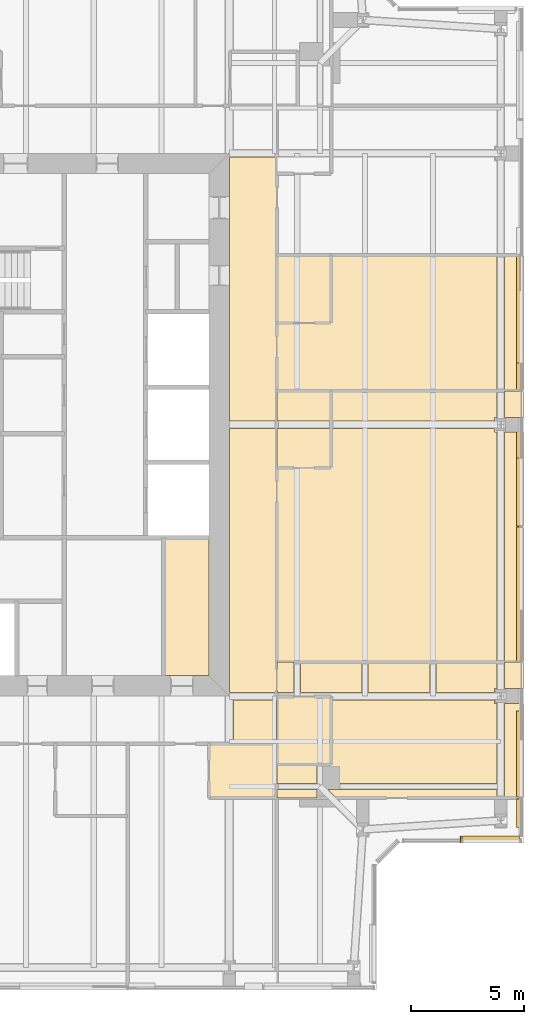
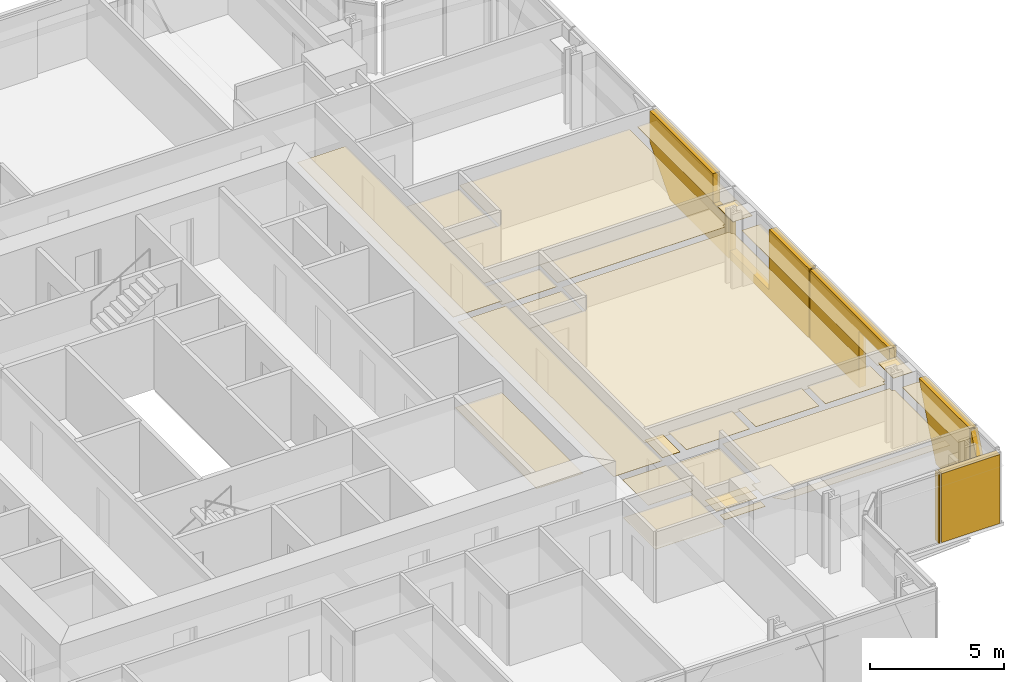
# One storey, part 18 of 20: 32 coverings.
"""IFC4 building model written with IfcOpenShell, lengths in metres."""

from ifc_helpers import new_model, si_unit, direction, frame, origin, place, context, subcontext, project, spatial, polyline, outline, extrude, material, layer, layer_set, type_object, element, save


model = new_model("IFC4")

# Units and contexts
model_context = context("Model", 3, precision=1e-05, world=origin(), true_north=direction((0.0, 1.0)))
body_context = subcontext(model_context, "Body", "Model", "MODEL_VIEW")
ifc_project = project(units=[si_unit("LENGTHUNIT", "METRE"), si_unit("AREAUNIT", "SQUARE_METRE"), si_unit("VOLUMEUNIT", "CUBIC_METRE"), si_unit("PLANEANGLEUNIT", "RADIAN"), si_unit("MASSUNIT", "GRAM", prefix="KILO")], contexts=[model_context])

# Site, building, storey
site_placement = place(None, origin())
site = spatial("IfcSite", under=ifc_project, at=site_placement, CompositionType="ELEMENT")
building_placement = place(site_placement, origin())
building = spatial("IfcBuilding", under=site, at=building_placement, Name="Fenwick Lantern Interchange", CompositionType="ELEMENT")
storey_placement = place(building_placement, frame((0.0, 0.0, 259.39990234375)))
storey = spatial("IfcBuildingStorey", under=building, at=storey_placement, Name="L61", CompositionType="ELEMENT", Elevation=259.39990234375)

# Coverings
ifc_material_1 = material(Name="Granite cladding, warm grey flamed finish, on aluminium carrier frame", Category="masonry")
ifc_layer_1 = layer(ifc_material_1, 0.300048828125)
ifc_layer_set_1 = layer_set([ifc_layer_1], Name="BRACE CASING PANEL 300")
covering_type_1 = type_object("IfcCoveringType", Name="BRACE CASING PANEL 300", PredefinedType="CLADDING", material=ifc_layer_set_1)
covering_1_placement = place(storey_placement, frame((44.45849609375, 6.60009765625, 0.0), z_axis=(0.0, 0.0, 1.0), x_axis=(1.0, 0.0, 0.0)))
element("IfcCovering", 1, at=covering_1_placement, inside=storey, type_object=covering_type_1, Name="Brace casing 04 bay 00a", PredefinedType="CLADDING", context=body_context, shape_type="SweptSolid", body=[
    extrude(outline(polyline([(2.741455078125, 0.0), (2.790771484375, 0.0), (2.790771484375, 3.150146484375), (2.741455078125, 3.150146484375), (2.741455078125, 0.0)])), frame((0.0, 0.2099609375, 0.0), z_axis=(0.0, -1.0, 0.0), x_axis=(1.0, 0.0, 0.0)), (0.0, 0.0, 1.0), 0.300048828125),
])
covering_2_placement = place(storey_placement, frame((44.45849609375, 6.60009765625, 0.0), z_axis=(0.0, 0.0, 1.0), x_axis=(1.0, 0.0, 0.0)))
element("IfcCovering", 2, at=covering_2_placement, inside=storey, type_object=covering_type_1, Name="Brace casing 04 bay 01a", PredefinedType="CLADDING", context=body_context, shape_type="SweptSolid", body=[
    extrude(outline(polyline([(2.850830078125, 0.0), (5.38134765625, 0.0), (5.38134765625, 3.150146484375), (2.850830078125, 3.150146484375), (2.850830078125, 0.0)])), frame((0.0, 0.2099609375, 0.0), z_axis=(0.0, -1.0, 0.0), x_axis=(1.0, 0.0, 0.0)), (0.0, 0.0, 1.0), 0.300048828125),
])
covering_3_placement = place(storey_placement, frame((49.89990234375, 6.60009765625, 0.0), z_axis=(0.0, 0.0, 1.0), x_axis=(0.0, 1.0, 0.0)))
element("IfcCovering", 3, at=covering_3_placement, inside=storey, type_object=covering_type_1, Name="Brace casing 05 bay 00a", PredefinedType="CLADDING", context=body_context, shape_type="SweptSolid", body=[
    extrude(outline(polyline([(0.578369140625, 0.0), (1.8701171875, 0.0), (1.8701171875, 3.150146484375), (1.852294921875, 3.150146484375), (0.578369140625, 0.0)])), frame((0.0, 0.2099609375, 0.0), z_axis=(0.0, -1.0, 0.0), x_axis=(1.0, 0.0, 0.0)), (0.0, 0.0, 1.0), 0.300048828125),
])
covering_4_placement = place(storey_placement, frame((49.89990234375, 6.60009765625, 0.0), z_axis=(0.0, 0.0, 1.0), x_axis=(0.0, 1.0, 0.0)))
element("IfcCovering", 4, at=covering_4_placement, inside=storey, type_object=covering_type_1, Name="Brace casing 05 bay 01a", PredefinedType="CLADDING", context=body_context, shape_type="SweptSolid", body=[
    extrude(outline(polyline([(1.929931640625, 0.0), (4.461669921875, 0.0), (5.735595703125, 3.150146484375), (1.929931640625, 3.150146484375), (1.929931640625, 0.0)])), frame((0.0, 0.2099609375, 0.0), z_axis=(0.0, -1.0, 0.0), x_axis=(1.0, 0.0, 0.0)), (0.0, 0.0, 1.0), 0.300048828125),
])
covering_5_placement = place(storey_placement, frame((49.89990234375, 6.60009765625, 0.0), z_axis=(0.0, 0.0, 1.0), x_axis=(0.0, 1.0, 0.0)))
element("IfcCovering", 5, at=covering_5_placement, inside=storey, type_object=covering_type_1, Name="Brace casing 05 bay 02a", PredefinedType="CLADDING", context=body_context, shape_type="SweptSolid", body=[
    extrude(outline(polyline([(10.195068359375, 0.0), (13.8701171875, 0.0), (13.8701171875, 3.150146484375), (7.929931640625, 3.150146484375), (7.929931640625, 2.572509765625), (10.195068359375, 2.572509765625), (10.195068359375, 0.0)])), frame((0.0, 0.2099609375, 0.0), z_axis=(0.0, -1.0, 0.0), x_axis=(1.0, 0.0, 0.0)), (0.0, 0.0, 1.0), 0.300048828125),
])
covering_6_placement = place(storey_placement, frame((49.89990234375, 6.60009765625, 0.0), z_axis=(0.0, 0.0, 1.0), x_axis=(0.0, 1.0, 0.0)))
element("IfcCovering", 6, at=covering_6_placement, inside=storey, type_object=covering_type_1, Name="Brace casing 05 bay 03a", PredefinedType="CLADDING", context=body_context, shape_type="SweptSolid", body=[
    extrude(outline(polyline([(13.929931640625, 0.0), (19.8701171875, 0.0), (19.8701171875, 0.384765625), (16.92626953125, 0.384765625), (16.92626953125, 3.150146484375), (13.929931640625, 3.150146484375), (13.929931640625, 0.0)])), frame((0.0, 0.2099609375, 0.0), z_axis=(0.0, -1.0, 0.0), x_axis=(1.0, 0.0, 0.0)), (0.0, 0.0, 1.0), 0.300048828125),
])
covering_7_placement = place(storey_placement, frame((49.89990234375, 6.60009765625, 0.0), z_axis=(0.0, 0.0, 1.0), x_axis=(0.0, 1.0, 0.0)))
element("IfcCovering", 7, at=covering_7_placement, inside=storey, type_object=covering_type_1, Name="Brace casing 05 bay 04a", PredefinedType="CLADDING", context=body_context, shape_type="SweptSolid", body=[
    extrude(outline(polyline([(19.929931640625, 0.0), (24.335205078125, 0.0), (25.8701171875, 1.739501953125), (25.8701171875, 3.150146484375), (21.1201171875, 3.150146484375), (21.1201171875, 1.79736328125), (19.929931640625, 1.79736328125), (19.929931640625, 0.0)])), frame((0.0, 0.2099609375, 0.0), z_axis=(0.0, -1.0, 0.0), x_axis=(1.0, 0.0, 0.0)), (0.0, 0.0, 1.0), 0.300048828125),
])
ifc_material_2 = material(Name="Moisture resistant gypsum board on suspended frame, painted")
ifc_layer_2 = layer(ifc_material_2, 0.014892578125)
ifc_layer_set_2 = layer_set([ifc_layer_2], Name="MOISTURE RESISTANT CEILING 15")
covering_type_2 = type_object("IfcCoveringType", Name="MOISTURE RESISTANT CEILING 15", PredefinedType="CEILING", material=ifc_layer_set_2)
covering_8_placement = place(storey_placement, frame((0.0, 0.0, 2.60009765625)))
element("IfcCovering", 8, at=covering_8_placement, inside=storey, type_object=covering_type_2, Name="Men's WC ceiling", PredefinedType="CEILING", context=body_context, shape_type="SweptSolid", body=[
    extrude(outline(polyline([(34.10009765625, 13.89990234375), (36.10009765625, 13.89990234375), (36.10009765625, 20.0), (34.10009765625, 20.0), (34.10009765625, 13.89990234375)])), origin(), (0.0, 0.0, 1.0), 0.014892578125),
])
covering_9_placement = place(storey_placement, frame((0.0, 0.0, 2.400146484375)))
element("IfcCovering", 9, at=covering_9_placement, inside=storey, type_object=covering_type_2, Name="En-suite 6104 ceiling", PredefinedType="CEILING", context=body_context, shape_type="SweptSolid", body=[
    extrude(outline(polyline([(36.10009765625, 8.5), (39.10009765625, 8.5), (39.10009765625, 10.89990234375), (36.10009765625, 10.89990234375), (36.10009765625, 8.5)])), origin(), (0.0, 0.0, 1.0), 0.014892578125),
])
covering_10_placement = place(storey_placement, frame((0.0, 0.0, 2.400146484375)))
element("IfcCovering", 10, at=covering_10_placement, inside=storey, type_object=covering_type_2, Name="En-suite 6105 ceiling", PredefinedType="CEILING", context=body_context, shape_type="SweptSolid", body=[
    extrude(outline(polyline([(41.5, 9.97509765625), (41.5, 12.97509765625), (39.10009765625, 12.97509765625), (39.10009765625, 9.97509765625), (41.5, 9.97509765625)])), origin(), (0.0, 0.0, 1.0), 0.014892578125),
])
covering_11_placement = place(storey_placement, frame((0.0, 0.0, 2.400146484375)))
element("IfcCovering", 11, at=covering_11_placement, inside=storey, type_object=covering_type_2, Name="En-suite 6106 ceiling", PredefinedType="CEILING", context=body_context, shape_type="SweptSolid", body=[
    extrude(outline(polyline([(41.5, 23.10009765625), (41.5, 24.824951171875), (39.10009765625, 24.824951171875), (39.10009765625, 23.10009765625), (41.5, 23.10009765625)])), origin(), (0.0, 0.0, 1.0), 0.014892578125),
])
covering_12_placement = place(storey_placement, frame((0.0, 0.0, 2.400146484375)))
element("IfcCovering", 12, at=covering_12_placement, inside=storey, type_object=covering_type_2, Name="En-suite 6106 ceiling", PredefinedType="CEILING", context=body_context, shape_type="SweptSolid", body=[
    extrude(outline(polyline([(39.10009765625, 26.5), (39.10009765625, 25.175048828125), (41.5, 25.175048828125), (41.5, 26.5), (39.10009765625, 26.5)])), origin(), (0.0, 0.0, 1.0), 0.014892578125),
])
covering_13_placement = place(storey_placement, frame((0.0, 0.0, 2.400146484375)))
element("IfcCovering", 13, at=covering_13_placement, inside=storey, type_object=covering_type_2, Name="En-suite 6107 ceiling", PredefinedType="CEILING", context=body_context, shape_type="SweptSolid", body=[
    extrude(outline(polyline([(41.5, 29.5), (41.5, 32.5), (39.10009765625, 32.5), (39.10009765625, 29.5), (41.5, 29.5)])), origin(), (0.0, 0.0, 1.0), 0.014892578125),
])
ifc_material_3 = material(Name="Gypsum plasterboard on suspended frame, painted")
ifc_layer_3 = layer(ifc_material_3, 0.014892578125)
ifc_layer_set_3 = layer_set([ifc_layer_3], Name="PLASTERBOARD CEILING 15")
covering_type_3 = type_object("IfcCoveringType", Name="PLASTERBOARD CEILING 15", PredefinedType="CEILING", material=ifc_layer_set_3)
covering_14_placement = place(storey_placement, frame((0.0, 0.0, 2.572998046875)))
element("IfcCovering", 14, at=covering_14_placement, inside=storey, type_object=covering_type_3, Name="Corridor ceiling", PredefinedType="CEILING", context=body_context, shape_type="SweptSolid", body=[
    extrude(outline(polyline([(39.10009765625, 25.175048828125), (39.10009765625, 36.833984375), (37.0, 36.833984375), (37.0, 25.175048828125), (39.10009765625, 25.175048828125)])), origin(), (0.0, 0.0, 1.0), 0.014892578125),
])
covering_15_placement = place(storey_placement, frame((0.0, 0.0, 2.572998046875)))
element("IfcCovering", 15, at=covering_15_placement, inside=storey, type_object=covering_type_3, Name="Corridor ceiling", PredefinedType="CEILING", context=body_context, shape_type="SweptSolid", body=[
    extrude(outline(polyline([(39.10009765625, 13.166015625), (39.10009765625, 24.824951171875), (37.0, 24.824951171875), (37.0, 13.166015625), (39.10009765625, 13.166015625)])), origin(), (0.0, 0.0, 1.0), 0.014892578125),
])
covering_16_placement = place(storey_placement, frame((0.0, 0.0, 2.572998046875)))
element("IfcCovering", 16, at=covering_16_placement, inside=storey, type_object=covering_type_3, Name="Corridor ceiling", PredefinedType="CEILING", context=body_context, shape_type="SweptSolid", body=[
    extrude(outline(polyline([(39.10009765625, 10.89990234375), (39.10009765625, 12.833984375), (37.183837890625, 12.833984375), (37.183837890625, 10.89990234375), (39.10009765625, 10.89990234375)])), origin(), (0.0, 0.0, 1.0), 0.014892578125),
])
covering_17_placement = place(storey_placement, frame((0.0, 0.0, 2.7001953125)))
element("IfcCovering", 17, at=covering_17_placement, inside=storey, type_object=covering_type_3, Name="Guest suite 6105 bedroom ceiling", PredefinedType="CEILING", context=body_context, shape_type="SweptSolid", body=[
    extrude(outline(polyline([(48.72265625, 12.66552734375), (48.72265625, 12.833984375), (41.5, 12.833984375), (41.5, 9.97509765625), (41.134521484375, 9.97509765625), (41.134521484375, 9.134521484375), (48.82763671875, 9.134521484375), (48.82763671875, 12.66552734375), (48.72265625, 12.66552734375)])), origin(), (0.0, 0.0, 1.0), 0.014892578125),
])
covering_18_placement = place(storey_placement, frame((0.0, 0.0, 2.7001953125)))
element("IfcCovering", 18, at=covering_18_placement, inside=storey, type_object=covering_type_3, Name="Guest suite 6105 bedroom ceiling", PredefinedType="CEILING", context=body_context, shape_type="SweptSolid", body=[
    extrude(outline(polyline([(42.865478515625, 14.5), (40.134521484375, 14.5), (40.134521484375, 13.166015625), (42.865478515625, 13.166015625), (42.865478515625, 14.5)])), origin(), (0.0, 0.0, 1.0), 0.014892578125),
])
covering_19_placement = place(storey_placement, frame((0.0, 0.0, 2.7001953125)))
element("IfcCovering", 19, at=covering_19_placement, inside=storey, type_object=covering_type_3, Name="Guest suite 6105 bedroom ceiling", PredefinedType="CEILING", context=body_context, shape_type="SweptSolid", body=[
    extrude(outline(polyline([(45.865478515625, 14.5), (43.134521484375, 14.5), (43.134521484375, 13.166015625), (45.865478515625, 13.166015625), (45.865478515625, 14.5)])), origin(), (0.0, 0.0, 1.0), 0.014892578125),
])
covering_20_placement = place(storey_placement, frame((0.0, 0.0, 2.7001953125)))
element("IfcCovering", 20, at=covering_20_placement, inside=storey, type_object=covering_type_3, Name="Guest suite 6105 bedroom ceiling", PredefinedType="CEILING", context=body_context, shape_type="SweptSolid", body=[
    extrude(outline(polyline([(48.72265625, 13.33447265625), (48.82763671875, 13.33447265625), (48.82763671875, 14.5), (46.134521484375, 14.5), (46.134521484375, 13.166015625), (48.72265625, 13.166015625), (48.72265625, 13.33447265625)])), origin(), (0.0, 0.0, 1.0), 0.014892578125),
])
covering_21_placement = place(storey_placement, frame((0.0, 0.0, 2.7001953125)))
element("IfcCovering", 21, at=covering_21_placement, inside=storey, type_object=covering_type_3, Name="Guest suite 6105 bedroom ceiling", PredefinedType="CEILING", context=body_context, shape_type="SweptSolid", body=[
    extrude(outline(polyline([(50.0, 12.66552734375), (49.17236328125, 12.66552734375), (49.17236328125, 8.5), (50.0, 8.5), (50.0, 12.66552734375)])), origin(), (0.0, 0.0, 1.0), 0.014892578125),
])
covering_22_placement = place(storey_placement, frame((0.0, 0.0, 2.7001953125)))
element("IfcCovering", 22, at=covering_22_placement, inside=storey, type_object=covering_type_3, Name="Guest suite 6105 bedroom ceiling", PredefinedType="CEILING", context=body_context, shape_type="SweptSolid", body=[
    extrude(outline(polyline([(41.716796875, 8.5), (48.82763671875, 8.5), (48.82763671875, 8.865478515625), (41.351318359375, 8.865478515625), (41.716796875, 8.5)])), origin(), (0.0, 0.0, 1.0), 0.014892578125),
])
covering_23_placement = place(storey_placement, frame((0.0, 0.0, 2.7001953125)))
element("IfcCovering", 23, at=covering_23_placement, inside=storey, type_object=covering_type_3, Name="Guest suite 6105 bedroom ceiling", PredefinedType="CEILING", context=body_context, shape_type="SweptSolid", body=[
    extrude(outline(polyline([(39.10009765625, 9.97509765625), (39.10009765625, 9.134521484375), (40.865478515625, 9.134521484375), (40.865478515625, 9.97509765625), (39.10009765625, 9.97509765625)])), origin(), (0.0, 0.0, 1.0), 0.014892578125),
])
covering_24_placement = place(storey_placement, frame((0.0, 0.0, 2.7001953125)))
element("IfcCovering", 24, at=covering_24_placement, inside=storey, type_object=covering_type_3, Name="Guest suite 6105 bedroom ceiling", PredefinedType="CEILING", context=body_context, shape_type="SweptSolid", body=[
    extrude(outline(polyline([(39.10009765625, 14.5), (39.10009765625, 13.166015625), (39.865478515625, 13.166015625), (39.865478515625, 14.5), (39.10009765625, 14.5)])), origin(), (0.0, 0.0, 1.0), 0.014892578125),
])
covering_25_placement = place(storey_placement, frame((0.0, 0.0, 2.7001953125)))
element("IfcCovering", 25, at=covering_25_placement, inside=storey, type_object=covering_type_3, Name="Guest suite 6105 bedroom ceiling", PredefinedType="CEILING", context=body_context, shape_type="SweptSolid", body=[
    extrude(outline(polyline([(50.0, 13.33447265625), (50.0, 14.5), (49.17236328125, 14.5), (49.17236328125, 13.33447265625), (50.0, 13.33447265625)])), origin(), (0.0, 0.0, 1.0), 0.014892578125),
])
covering_26_placement = place(storey_placement, frame((0.0, 0.0, 2.7001953125)))
element("IfcCovering", 26, at=covering_26_placement, inside=storey, type_object=covering_type_3, Name="Guest suite 6105 bedroom ceiling", PredefinedType="CEILING", context=body_context, shape_type="SweptSolid", body=[
    extrude(outline(polyline([(39.10009765625, 8.5), (40.865478515625, 8.5), (40.865478515625, 8.865478515625), (39.10009765625, 8.865478515625), (39.10009765625, 8.5)])), origin(), (0.0, 0.0, 1.0), 0.014892578125),
])
covering_27_placement = place(storey_placement, frame((0.0, 0.0, 2.572998046875)))
element("IfcCovering", 27, at=covering_27_placement, inside=storey, type_object=covering_type_3, Name="Guest suite 6106 ceiling", PredefinedType="CEILING", context=body_context, shape_type="SweptSolid", body=[
    extrude(outline(polyline([(48.72900390625, 24.6845703125), (48.72900390625, 24.824951171875), (41.5, 24.824951171875), (41.5, 23.10009765625), (39.10009765625, 23.10009765625), (39.10009765625, 14.5), (48.82763671875, 14.5), (48.82763671875, 24.6845703125), (48.72900390625, 24.6845703125)])), origin(), (0.0, 0.0, 1.0), 0.014892578125),
])
covering_28_placement = place(storey_placement, frame((0.0, 0.0, 2.572998046875)))
element("IfcCovering", 28, at=covering_28_placement, inside=storey, type_object=covering_type_3, Name="Guest suite 6106 ceiling", PredefinedType="CEILING", context=body_context, shape_type="SweptSolid", body=[
    extrude(outline(polyline([(48.72900390625, 25.3154296875), (48.82763671875, 25.3154296875), (48.82763671875, 26.5), (41.5, 26.5), (41.5, 25.175048828125), (48.72900390625, 25.175048828125), (48.72900390625, 25.3154296875)])), origin(), (0.0, 0.0, 1.0), 0.014892578125),
])
covering_29_placement = place(storey_placement, frame((0.0, 0.0, 2.572998046875)))
element("IfcCovering", 29, at=covering_29_placement, inside=storey, type_object=covering_type_3, Name="Guest suite 6106 ceiling", PredefinedType="CEILING", context=body_context, shape_type="SweptSolid", body=[
    extrude(outline(polyline([(50.0, 24.6845703125), (49.17236328125, 24.6845703125), (49.17236328125, 14.5), (50.0, 14.5), (50.0, 24.6845703125)])), origin(), (0.0, 0.0, 1.0), 0.014892578125),
])
covering_30_placement = place(storey_placement, frame((0.0, 0.0, 2.572998046875)))
element("IfcCovering", 30, at=covering_30_placement, inside=storey, type_object=covering_type_3, Name="Guest suite 6106 ceiling", PredefinedType="CEILING", context=body_context, shape_type="SweptSolid", body=[
    extrude(outline(polyline([(49.17236328125, 25.3154296875), (50.0, 25.3154296875), (50.0, 26.5), (49.17236328125, 26.5), (49.17236328125, 25.3154296875)])), origin(), (0.0, 0.0, 1.0), 0.014892578125),
])
covering_31_placement = place(storey_placement, frame((0.0, 0.0, 2.572998046875)))
element("IfcCovering", 31, at=covering_31_placement, inside=storey, type_object=covering_type_3, Name="Guest room 6107 ceiling", PredefinedType="CEILING", context=body_context, shape_type="SweptSolid", body=[
    extrude(outline(polyline([(39.10009765625, 26.5), (48.82763671875, 26.5), (48.82763671875, 32.5), (41.5, 32.5), (41.5, 29.5), (39.10009765625, 29.5), (39.10009765625, 26.5)])), origin(), (0.0, 0.0, 1.0), 0.014892578125),
])
covering_32_placement = place(storey_placement, frame((0.0, 0.0, 2.572998046875)))
element("IfcCovering", 32, at=covering_32_placement, inside=storey, type_object=covering_type_3, Name="Guest room 6107 ceiling", PredefinedType="CEILING", context=body_context, shape_type="SweptSolid", body=[
    extrude(outline(polyline([(50.0, 26.5), (50.0, 32.5), (49.17236328125, 32.5), (49.17236328125, 26.5), (50.0, 26.5)])), origin(), (0.0, 0.0, 1.0), 0.014892578125),
])

save(model, "model.ifc")
